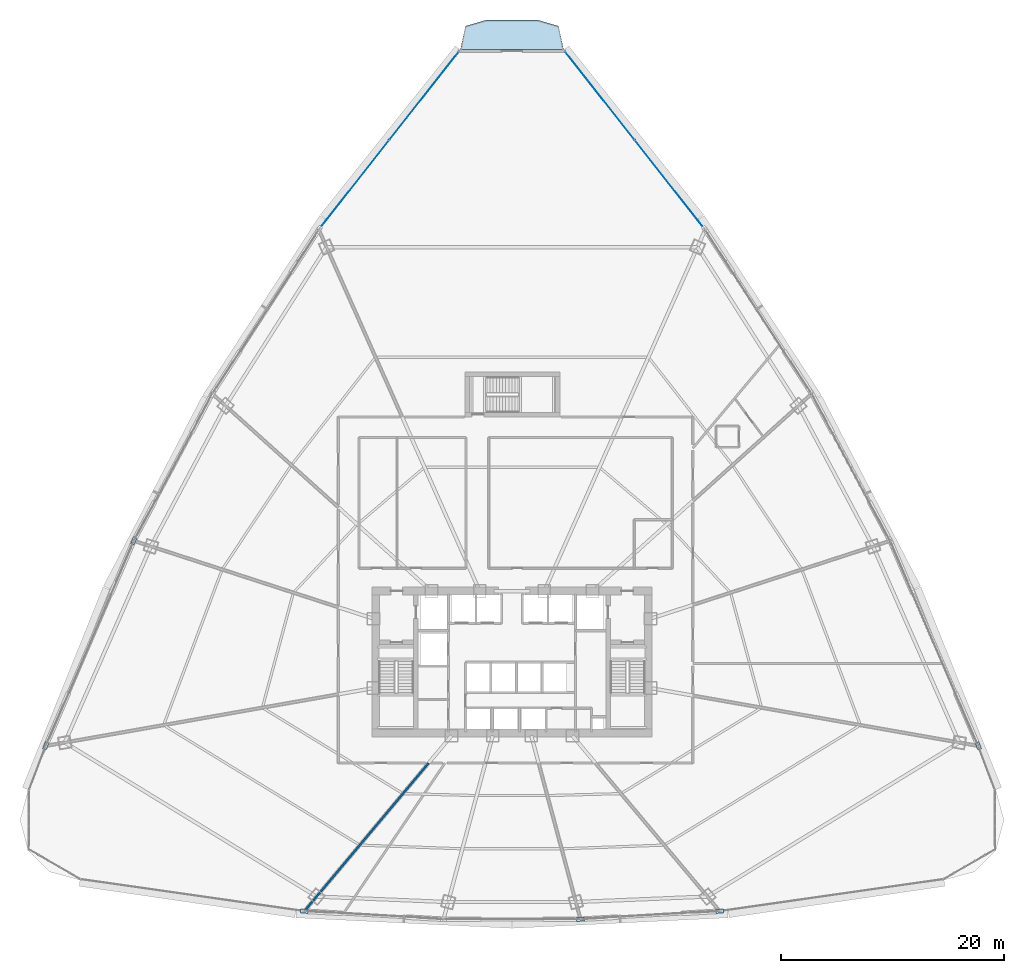
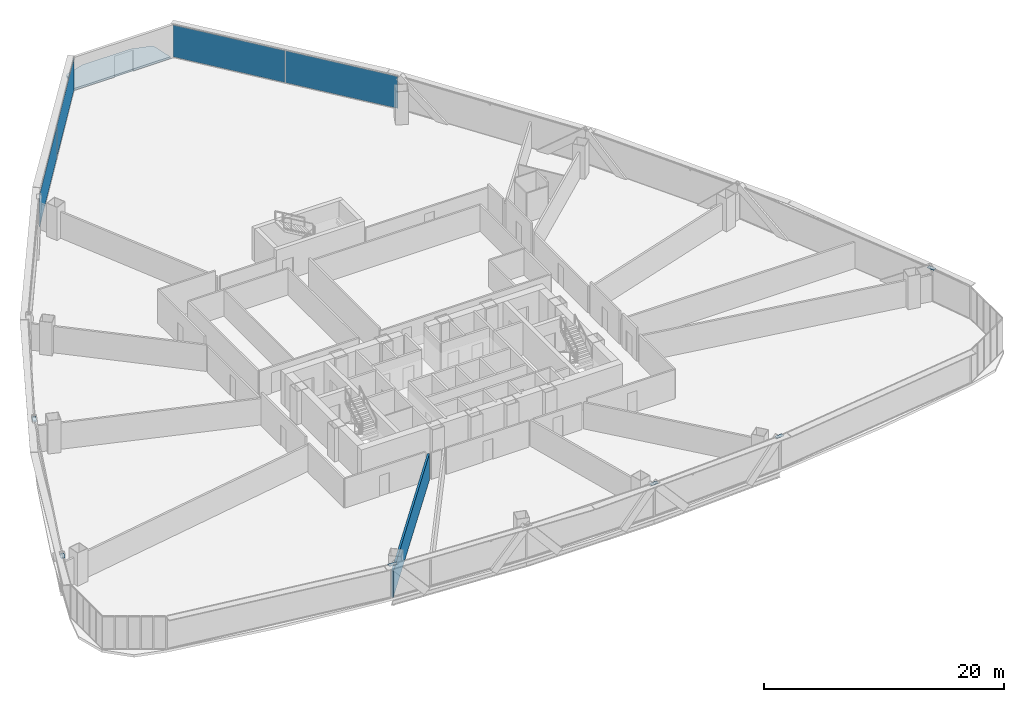
# One storey, part 34 of 42: 10 plates, 1 slab, 1 wall, 2 elements without a shape of their own.
"""IFC4 building model written with IfcOpenShell, lengths in metres."""

from ifc_helpers import new_model, si_unit, direction, frame, frame_2d, origin, origin_2d, place, context, subcontext, project, spatial, polyline, rectangle, outline, extrude, source, transform, mapped, material, layer, layer_set, type_object, element, aggregate, save


model = new_model("IFC4")

# Units and contexts
model_context = context("Model", 3, precision=1e-05, world=origin(), true_north=direction((0.0, 1.0)))
body_context = subcontext(model_context, "Body", "Model", "MODEL_VIEW")
ifc_project = project(units=[si_unit("LENGTHUNIT", "METRE"), si_unit("AREAUNIT", "SQUARE_METRE"), si_unit("VOLUMEUNIT", "CUBIC_METRE"), si_unit("PLANEANGLEUNIT", "RADIAN"), si_unit("MASSUNIT", "GRAM", prefix="KILO"), si_unit("THERMODYNAMICTEMPERATUREUNIT", "KELVIN"), si_unit("POWERUNIT", "WATT")], contexts=[model_context])

# Site, building, storey
site_placement = place(None, origin())
site = spatial("IfcSite", under=ifc_project, at=site_placement, CompositionType="ELEMENT")
building_placement = place(site_placement, origin())
building = spatial("IfcBuilding", under=site, at=building_placement, Name="Yunzhuo Pagoda Commons", CompositionType="ELEMENT")
storey_placement = place(building_placement, frame((0.0, 0.0, 44.919921875)))
storey = spatial("IfcBuildingStorey", under=building, at=storey_placement, Name="L11", CompositionType="ELEMENT", Elevation=44.919921875)

# Slab
ifc_material_1 = material(Name="Concrete C40", Category="concrete")
ifc_layer_1 = layer(ifc_material_1, 0.199951171875)
ifc_layer_set_1 = layer_set([ifc_layer_1], Name="Concrete C40")
slab_type = type_object("IfcSlabType", Name="SL-BAL Vertex Balcony Deck Slab 200", PredefinedType="FLOOR", material=ifc_layer_set_1)
slab_placement = place(storey_placement, frame((0.0, 0.0, -0.199951171875)))
element("IfcSlab", 1, at=slab_placement, inside=storey, type_object=slab_type, Name="L11 corner balcony V3", PredefinedType="FLOOR", context=body_context, shape_type="SweptSolid", body=[
    extrude(outline(polyline([(52.623291015625, 88.70068359375), (43.376708984375, 88.70068359375), (43.82666015625, 90.795654296875), (45.688232421875, 91.345703125), (50.311767578125, 91.345703125), (52.17333984375, 90.795654296875), (52.623291015625, 88.70068359375)])), origin(), (0.0, 0.0, 1.0), 0.199951171875),
])

# Plates
ifc_material_2 = material(Name="Structural steel Q355B", Category="steel")
ifc_layer_2 = layer(ifc_material_2, 0.028076171875)
ifc_layer_set_2 = layer_set([ifc_layer_2], Name="Structural steel Q355B")
plate_type_1 = type_object("IfcPlateType", Name="SP-ND1 Lattice Node Cap Plate 800x500x28", PredefinedType="USERDEFINED", material=ifc_layer_set_2)
shared_shape_1 = source(origin(), body_context, "Body", "SweptSolid", [
    extrude(rectangle(XDim=0.699951171875, YDim=0.35009765625, at=origin_2d()), origin(), (0.0, 0.0, 1.0), 0.035888671875),
])
for number, where, z_axis, x_axis, name in (
    (2, (29.399658203125, 11.532958984375, 3.33203125), (0.0, 0.0, 1.0), (0.998328730053, -0.057790542049, 0.0), "L11 setback lattice tie plate F1.1L"),
    (3, (54.133056640625, 10.811279296875, 3.33203125), (0.0, 0.0, 1.0), (0.998328730053, 0.057790542049, 0.0), "L11 setback lattice tie plate F1.3L"),
    (4, (66.600341796875, 11.532958984375, 3.33203125), (0.0, 0.0, 1.0), (0.998328730053, 0.057790542049, 0.0), "L11 setback lattice tie plate F1.3R"),
    (5, (89.759521484375, 26.336669921875, 3.33203125), (0.0, 0.0, 1.0), (-0.394567453861, 0.918866978596, 0.0), "L11 setback lattice tie plate F2.1L"),
    (6, (14.12841796875, 44.70556640625, 3.33203125), (0.0, 0.0, 1.0), (-0.394567453861, -0.918866978596, 0.0), "L11 setback lattice tie plate F3.3L"),
    (7, (6.240478515625, 26.336669921875, 3.33203125), (0.0, 0.0, 1.0), (-0.394567453861, -0.918866978596, 0.0), "L11 setback lattice tie plate F3.3R"),
):
    element("IfcPlate", number, at=place(storey_placement, frame(where, z_axis=z_axis, x_axis=x_axis)), inside=storey, type_object=plate_type_1, Name=name, ObjectType="STIFFENER_PLATE", PredefinedType="USERDEFINED", context=body_context, shape_type="MappedRepresentation", body=[
        mapped(shared_shape_1, transform((0.0, 0.0, 0.0), scale=1.0)),
    ])

# Curtain wall, plates
ifc_material_3 = material(Name="Anodized aluminium 6063-T6", Category="aluminium")
ifc_layer_3 = layer(ifc_material_3, 0.1650390625)
ifc_layer_set_3 = layer_set([ifc_layer_3], Name="Anodized aluminium 6063-T6")
curtain_wall_type = type_object("IfcCurtainWallType", Name="CW-LOW Low-Zone Ribbon Curtain Wall", PredefinedType="NOTDEFINED", material=ifc_layer_set_3)
curtain_wall_1_placement = place(storey_placement, origin())
curtain_wall_1 = element("IfcCurtainWall", 8, at=curtain_wall_1_placement, inside=storey, type_object=curtain_wall_type, Name="L11 curtain wall CW-L11-F2B5", PredefinedType="NOTDEFINED")
ifc_material_4 = material(Name="Tempered low-e double glazing", Category="glass")
ifc_layer_4 = layer(ifc_material_4, 0.028076171875)
ifc_layer_set_4 = layer_set([ifc_layer_4], Name="Tempered low-e double glazing")
plate_type_2 = type_object("IfcPlateType", Name="CW-LOW-P Low-E Double Glazing 28", PredefinedType="CURTAIN_PANEL", material=ifc_layer_set_4)
shared_shape_2 = source(origin(), body_context, "Body", "SweptSolid", [
    extrude(rectangle(XDim=10.042724609375, YDim=0.028076171875, at=origin_2d()), origin(), (0.0, 0.0, 1.0), 3.25),
])
plate_1_placement = place(storey_placement, frame((62.11376953125, 76.625, 0.06005859375), z_axis=(0.0, 0.0, 1.0), x_axis=(-0.61837518468, 0.785883026265, 0.0)))
plate_1 = element("IfcPlate", 9, at=plate_1_placement, type_object=plate_type_2, Name="CW panel 1.1", PredefinedType="CURTAIN_PANEL", context=body_context, shape_type="MappedRepresentation", body=[
    mapped(shared_shape_2, transform((0.0, 0.0, 0.0), scale=1.0)),
])
plate_2_placement = place(storey_placement, frame((55.863525390625, 84.568359375, 0.06005859375), z_axis=(0.0, 0.0, 1.0), x_axis=(-0.61837518468, 0.785883026265, 0.0)))
plate_2 = element("IfcPlate", 10, at=plate_2_placement, type_object=plate_type_2, Name="CW panel 2.1", PredefinedType="CURTAIN_PANEL", context=body_context, shape_type="MappedRepresentation", body=[
    mapped(shared_shape_2, transform((0.0, 0.0, 0.0), scale=1.0)),
])
aggregate(curtain_wall_1, [plate_1, plate_2])

curtain_wall_2_placement = place(storey_placement, origin())
curtain_wall_2 = element("IfcCurtainWall", 11, at=curtain_wall_2_placement, inside=storey, type_object=curtain_wall_type, Name="L11 curtain wall CW-L11-F3B1", PredefinedType="NOTDEFINED")
plate_3_placement = place(storey_placement, frame((40.136474609375, 84.568359375, 0.06005859375), z_axis=(0.0, 0.0, 1.0), x_axis=(-0.61837518468, -0.785883026265, 0.0)))
plate_3 = element("IfcPlate", 12, at=plate_3_placement, type_object=plate_type_2, Name="CW panel 1.1", PredefinedType="CURTAIN_PANEL", context=body_context, shape_type="MappedRepresentation", body=[
    mapped(shared_shape_2, transform((0.0, 0.0, 0.0), scale=1.0)),
])
plate_4_placement = place(storey_placement, frame((33.88623046875, 76.625, 0.06005859375), z_axis=(0.0, 0.0, 1.0), x_axis=(-0.61837518468, -0.785883026265, 0.0)))
plate_4 = element("IfcPlate", 13, at=plate_4_placement, type_object=plate_type_2, Name="CW panel 2.1", PredefinedType="CURTAIN_PANEL", context=body_context, shape_type="MappedRepresentation", body=[
    mapped(shared_shape_2, transform((0.0, 0.0, 0.0), scale=1.0)),
])
aggregate(curtain_wall_2, [plate_3, plate_4])

# Wall
ifc_material_5 = material(Name="Gypsum plasterboard on acoustic stud")
ifc_layer_5 = layer(ifc_material_5, 0.179931640625)
ifc_layer_set_5 = layer_set([ifc_layer_5], Name="Gypsum plasterboard on acoustic stud")
wall_type = type_object("IfcWallType", Name="W-PRT2 Acoustic Unit Demising Wall 180", PredefinedType="PARTITIONING", material=ifc_layer_set_5)
wall_placement = place(storey_placement, frame((40.531982421875, 24.800048828125, 0.0), z_axis=(0.0, 0.0, 1.0), x_axis=(-0.642784696521, -0.766046887546, 0.0)))
element("IfcWall", 14, at=wall_placement, inside=storey, type_object=wall_type, Name="L11 interior wall IW-L11-RAD09", PredefinedType="PARTITIONING", context=body_context, shape_type="SweptSolid", body=[
    extrude(rectangle(XDim=17.31884765625, YDim=0.179931640625, at=frame_2d((8.659423828125, 0.0))), origin(), (0.0, 0.0, 1.0), 2.670166015625),
])

save(model, "model.ifc")
